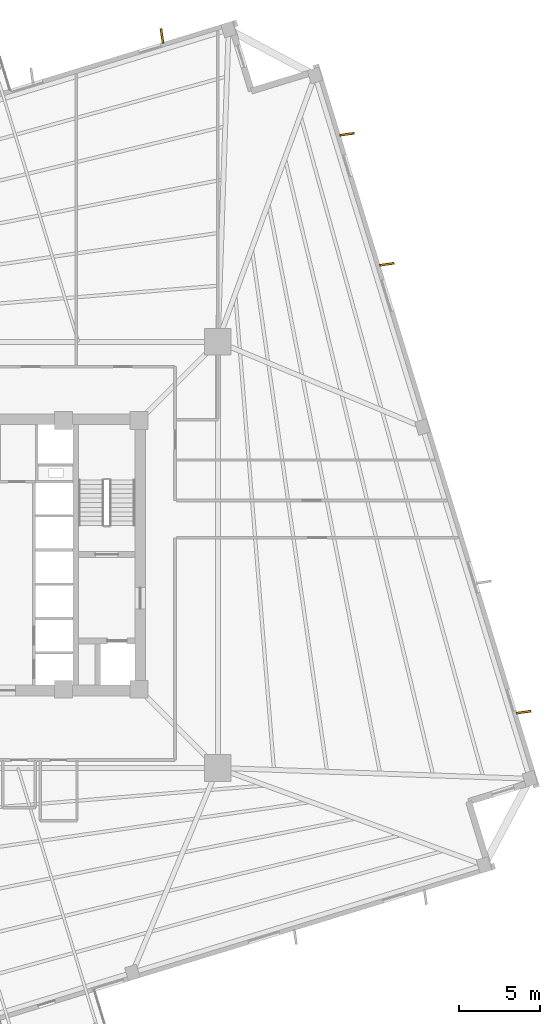
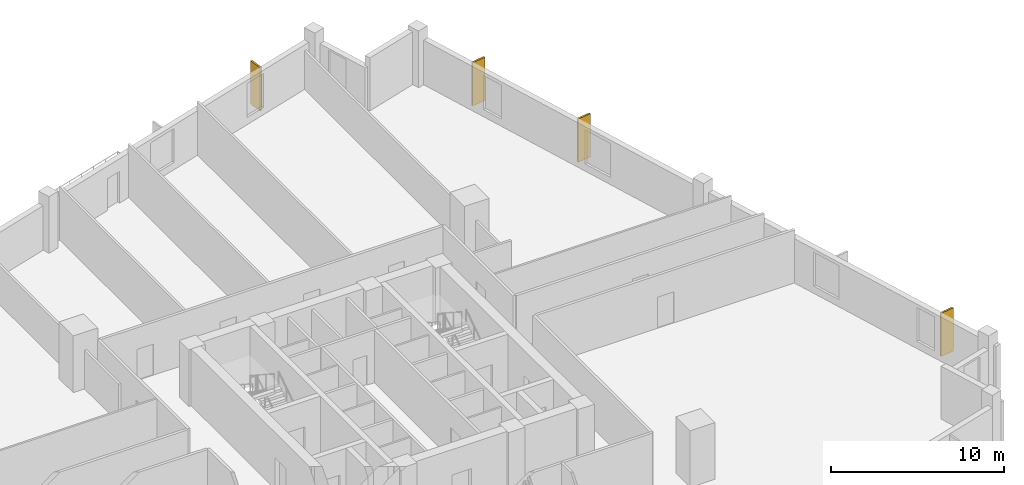
# One storey, part 8 of 8: 4 coverings.
"""IFC4 building model written with IfcOpenShell, lengths in metres."""

from ifc_helpers import new_model, si_unit, direction, frame, origin, origin_2d, place, context, subcontext, project, spatial, rectangle, extrude, source, transform, mapped, material, layer, layer_set, type_object, element, save


model = new_model("IFC4")

# Units and contexts
model_context = context("Model", 3, precision=1e-05, world=origin(), true_north=direction((0.0, 1.0)))
body_context = subcontext(model_context, "Body", "Model", "MODEL_VIEW")
ifc_project = project(units=[si_unit("LENGTHUNIT", "METRE"), si_unit("AREAUNIT", "SQUARE_METRE"), si_unit("VOLUMEUNIT", "CUBIC_METRE"), si_unit("PLANEANGLEUNIT", "RADIAN"), si_unit("MASSUNIT", "GRAM", prefix="KILO"), si_unit("THERMODYNAMICTEMPERATUREUNIT", "KELVIN")], contexts=[model_context])

# Site, building, storey
site_placement = place(None, origin())
site = spatial("IfcSite", under=ifc_project, at=site_placement, CompositionType="ELEMENT")
building_placement = place(site_placement, origin())
building = spatial("IfcBuilding", under=site, at=building_placement, Name="Kosmvard Interchange Tower", CompositionType="ELEMENT")
storey_placement = place(building_placement, frame((0.0, 0.0, 91.199951171875)))
storey = spatial("IfcBuildingStorey", under=building, at=storey_placement, Name="L21", CompositionType="ELEMENT", Elevation=91.199951171875)

# Coverings
ifc_material = material(Name="Architectural anodised aluminium", Category="aluminium")
ifc_layer = layer(ifc_material, 0.1201171875, Name="Architectural anodised aluminium")
ifc_layer_set = layer_set([ifc_layer], Name="Architectural anodised aluminium")
covering_type = type_object("IfcCoveringType", Name="Rotating Vertical Sun-Breaker Fin 900x120 Aluminium", PredefinedType="CLADDING", material=ifc_layer_set)
shared_shape = source(origin(), body_context, "Body", "SweptSolid", [
    extrude(rectangle(XDim=0.89990234375, YDim=0.1201171875, at=origin_2d()), origin(), (0.0, 0.0, 1.0), 3.06005859375),
])
for number, where, z_axis, x_axis, name in (
    (1, (31.865966796875, -9.6572265625, 0.0400390625), (0.0, 0.0, 1.0), (0.989751322388, 0.142801680073, 0.0), "L21 Rotating Vertical Sun-Breaker Fin 05"),
    (2, (23.45849609375, 17.841796875, 0.0400390625), (0.0, 0.0, 1.0), (0.989751322388, 0.142801680073, 0.0), "L21 Rotating Vertical Sun-Breaker Fin 07"),
    (3, (21.017822265625, 25.825439453125, 0.0400390625), (0.0, 0.0, 1.0), (0.989751322388, 0.142801680073, 0.0), "L21 Rotating Vertical Sun-Breaker Fin 08"),
    (4, (9.6572265625, 31.865966796875, 0.0400390625), (0.0, 0.0, 1.0), (-0.142801680073, 0.989751322388, 0.0), "L21 Rotating Vertical Sun-Breaker Fin 09"),
):
    element("IfcCovering", number, at=place(storey_placement, frame(where, z_axis=z_axis, x_axis=x_axis)), inside=storey, type_object=covering_type, Name=name, PredefinedType="CLADDING", context=body_context, shape_type="MappedRepresentation", body=[
        mapped(shared_shape, transform((0.0, 0.0, 0.0), scale=1.0)),
    ])

save(model, "model.ifc")
